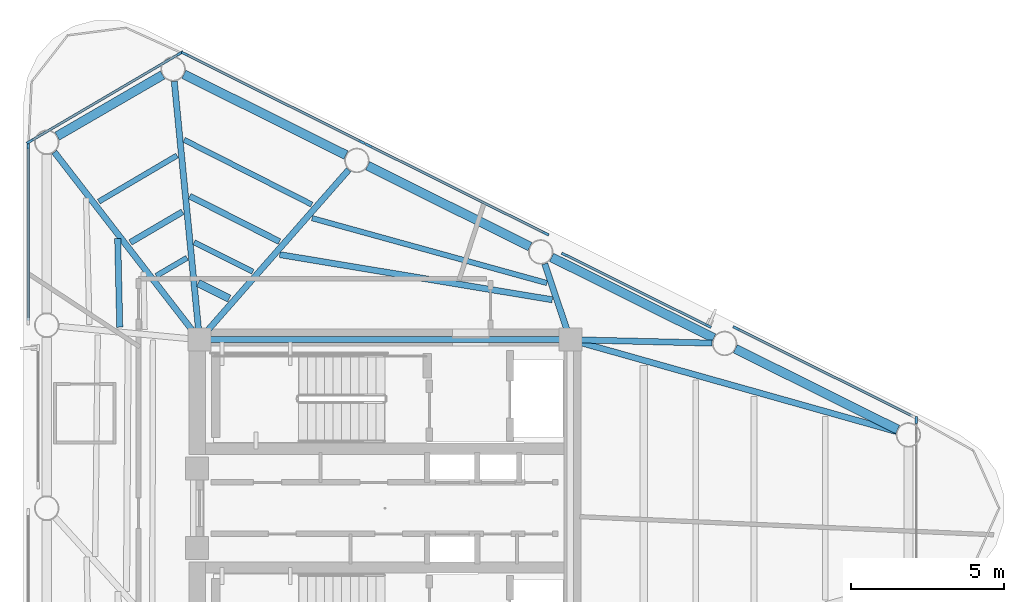
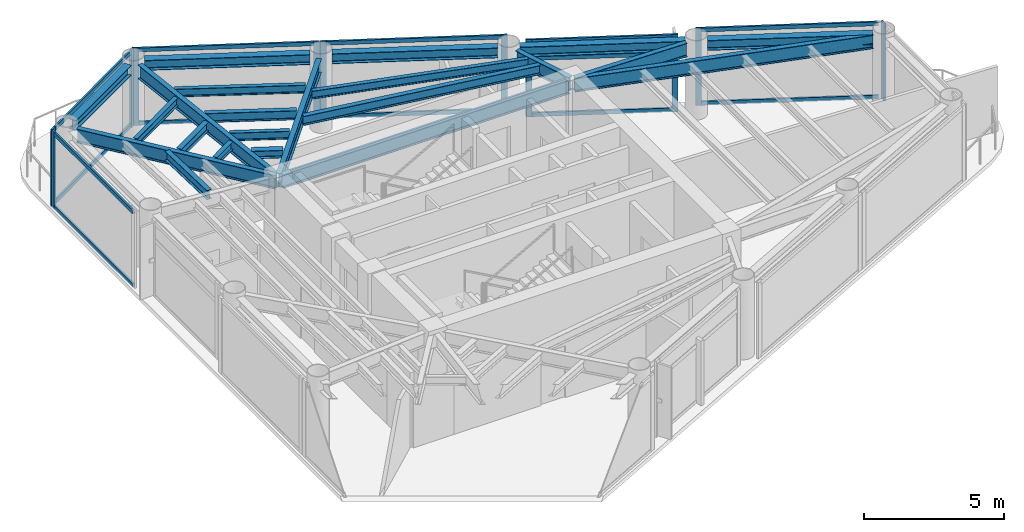
# One storey, part 3 of 10: 24 members, 22 beams, 7 elements without a shape of their own.
"""IFC4 building model written with IfcOpenShell, lengths in metres."""

from ifc_helpers import new_model, si_unit, direction, frame, origin, origin_2d, place, context, subcontext, project, spatial, rectangle, i_section, extrude, source, transform, mapped, material, layer, layer_set, material_profile, profile_set, type_object, element, aggregate, save


model = new_model("IFC4")

# Units and contexts
model_context = context("Model", 3, precision=1e-05, world=origin(), true_north=direction((0.0, 1.0)))
body_context = subcontext(model_context, "Body", "Model", "MODEL_VIEW")
ifc_project = project(units=[si_unit("LENGTHUNIT", "METRE"), si_unit("AREAUNIT", "SQUARE_METRE"), si_unit("VOLUMEUNIT", "CUBIC_METRE"), si_unit("PLANEANGLEUNIT", "RADIAN"), si_unit("MASSUNIT", "GRAM", prefix="KILO")], contexts=[model_context])

# Site, building, storey
site_placement = place(None, origin())
site = spatial("IfcSite", under=ifc_project, at=site_placement, CompositionType="ELEMENT")
building_placement = place(site_placement, origin())
building = spatial("IfcBuilding", under=site, at=building_placement, Name="Yunling Apex Tower", CompositionType="ELEMENT")
storey_placement = place(building_placement, frame((0.0, 0.0, 296.75)))
storey = spatial("IfcBuildingStorey", under=building, at=storey_placement, Name="L72", CompositionType="ELEMENT", Elevation=296.75)

# Beams
ifc_material_1 = material(Name="Steel Q355B", Category="steel")
ifc_material_profile_1 = material_profile(ifc_material_1, i_section(OverallWidth=0.199951171875, OverallDepth=0.60009765625, WebThickness=0.010986328125, FlangeThickness=0.01708984375, FilletRadius=0.02197265625, at=origin_2d()))
ifc_profile_set_1 = profile_set([ifc_material_profile_1], Name="Steel Q355B")
beam_type_1 = type_object("IfcBeamType", Name="BG-PRI-5", PredefinedType="USERDEFINED", material=ifc_profile_set_1)
shared_shape_1 = source(origin(), body_context, "Body", "SweptSolid", [
    extrude(i_section(OverallWidth=0.199951171875, OverallDepth=0.60009765625, WebThickness=0.010986328125, FlangeThickness=0.01708984375, FilletRadius=0.02197265625, at=origin_2d()), origin(), (0.0, 0.0, 1.0), 11.7998046875),
])
beam_1_placement = place(storey_placement, frame((5.89990234375, 5.5, 2.969970703125), z_axis=(-1.0, 0.0, 0.0), x_axis=(0.0, -1.0, 0.0)))
element("IfcBeam", 1, at=beam_1_placement, inside=storey, type_object=beam_type_1, Name="L72 Core Ring Tie Beam 3", ObjectType="GIRDER", PredefinedType="USERDEFINED", context=body_context, shape_type="MappedRepresentation", body=[
    mapped(shared_shape_1, transform((0.0, 0.0, 0.0), scale=1.0)),
])
ifc_material_profile_2 = material_profile(ifc_material_1, i_section(OverallWidth=0.300048828125, OverallDepth=0.43994140625, WebThickness=0.010986328125, FlangeThickness=0.01806640625, FilletRadius=0.02197265625, at=origin_2d()))
ifc_profile_set_2 = profile_set([ifc_material_profile_2], Name="Steel Q355B")
beam_type_2 = type_object("IfcBeamType", Name="BP-SPN-3", PredefinedType="SPANDREL", material=ifc_profile_set_2)
shared_shape_2 = source(origin(), body_context, "Body", "SweptSolid", [
    extrude(i_section(OverallWidth=0.300048828125, OverallDepth=0.43994140625, WebThickness=0.010986328125, FlangeThickness=0.01806640625, FilletRadius=0.02197265625, at=origin_2d()), origin(), (0.0, 0.0, 1.0), 5.914306640625),
])
for number, where, z_axis, x_axis, name in (
    (2, (4.733642578125, 8.539794921875, 3.050048828125), (-0.895267705164, 0.445528602999, 0.0), (-0.445528602999, -0.895267705164, 0.0), "L72 Perimeter Spandrel Beam 8"),
    (3, (-1.2666015625, 11.52587890625, 3.050048828125), (-0.895243044542, 0.445578153861, 0.0), (-0.445578153861, -0.895243044542, 0.0), "L72 Perimeter Spandrel Beam 9"),
):
    element("IfcBeam", number, at=place(storey_placement, frame(where, z_axis=z_axis, x_axis=x_axis)), inside=storey, type_object=beam_type_2, Name=name, PredefinedType="SPANDREL", context=body_context, shape_type="MappedRepresentation", body=[
        mapped(shared_shape_2, transform((0.0, 0.0, 0.0), scale=1.0)),
    ])
shared_shape_3 = source(origin(), body_context, "Body", "SweptSolid", [
    extrude(i_section(OverallWidth=0.300048828125, OverallDepth=0.43994140625, WebThickness=0.010986328125, FlangeThickness=0.01806640625, FilletRadius=0.02197265625, at=origin_2d()), origin(), (0.0, 0.0, 1.0), 5.9140625),
])
for number, where, z_axis, x_axis, name in (
    (4, (16.73388671875, 2.567138671875, 3.050048828125), (-0.895259510924, 0.445545068539, 0.0), (-0.445545068539, -0.895259510924, 0.0), "L72 Perimeter Spandrel Beam 6"),
    (5, (10.733642578125, 5.553466796875, 3.050048828125), (-0.895259510924, 0.445545068539, 0.0), (-0.445545068539, -0.895259510924, 0.0), "L72 Perimeter Spandrel Beam 7"),
):
    element("IfcBeam", number, at=place(storey_placement, frame(where, z_axis=z_axis, x_axis=x_axis)), inside=storey, type_object=beam_type_2, Name=name, PredefinedType="SPANDREL", context=body_context, shape_type="MappedRepresentation", body=[
        mapped(shared_shape_3, transform((0.0, 0.0, 0.0), scale=1.0)),
    ])
shared_shape_4 = source(origin(), body_context, "Body", "SweptSolid", [
    extrude(i_section(OverallWidth=0.300048828125, OverallDepth=0.43994140625, WebThickness=0.010986328125, FlangeThickness=0.01806640625, FilletRadius=0.02197265625, at=origin_2d()), origin(), (0.0, 0.0, 1.0), 3.978515625),
])
beam_2_placement = place(storey_placement, frame((-7.2548828125, 14.138916015625, 3.050048828125), z_axis=(-0.865064744393, -0.501660231639, 0.0), x_axis=(0.501660231639, -0.865064744393, 0.0)))
element("IfcBeam", 6, at=beam_2_placement, inside=storey, type_object=beam_type_2, Name="L72 Perimeter Spandrel Beam 10", PredefinedType="SPANDREL", context=body_context, shape_type="MappedRepresentation", body=[
    mapped(shared_shape_4, transform((0.0, 0.0, 0.0), scale=1.0)),
])
shared_shape_5 = source(origin(), body_context, "Body", "SweptSolid", [
    extrude(i_section(OverallWidth=0.199951171875, OverallDepth=0.60009765625, WebThickness=0.010986328125, FlangeThickness=0.01708984375, FilletRadius=0.02197265625, at=origin_2d()), origin(), (0.0, 0.0, 1.0), 8.390869140625),
])
beam_3_placement = place(storey_placement, frame((-6.874267578125, 13.9306640625, 2.969970703125), z_axis=(0.097296792844, -0.995255411491, 0.0), x_axis=(0.995255411491, 0.097296792844, 0.0)))
element("IfcBeam", 7, at=beam_3_placement, inside=storey, type_object=beam_type_1, Name="L72 Radial Primary Girder R10", ObjectType="GIRDER", PredefinedType="USERDEFINED", context=body_context, shape_type="MappedRepresentation", body=[
    mapped(shared_shape_5, transform((0.0, 0.0, 0.0), scale=1.0)),
])
shared_shape_6 = source(origin(), body_context, "Body", "SweptSolid", [
    extrude(i_section(OverallWidth=0.199951171875, OverallDepth=0.60009765625, WebThickness=0.010986328125, FlangeThickness=0.01708984375, FilletRadius=0.02197265625, at=origin_2d()), origin(), (0.0, 0.0, 1.0), 7.297119140625),
])
beam_4_placement = place(storey_placement, frame((-1.18310546875, 11.043701171875, 2.969970703125), z_axis=(-0.659747259747, -0.751487560281, 0.0), x_axis=(0.751487560281, -0.659747259747, 0.0)))
element("IfcBeam", 8, at=beam_4_placement, inside=storey, type_object=beam_type_1, Name="L72 Radial Primary Girder R09", ObjectType="GIRDER", PredefinedType="USERDEFINED", context=body_context, shape_type="MappedRepresentation", body=[
    mapped(shared_shape_6, transform((0.0, 0.0, 0.0), scale=1.0)),
])
shared_shape_7 = source(origin(), body_context, "Body", "SweptSolid", [
    extrude(i_section(OverallWidth=0.199951171875, OverallDepth=0.60009765625, WebThickness=0.010986328125, FlangeThickness=0.01708984375, FilletRadius=0.02197265625, at=origin_2d()), origin(), (0.0, 0.0, 1.0), 2.533935546875),
])
beam_5_placement = place(storey_placement, frame((5.21630859375, 7.977294921875, 2.969970703125), z_axis=(0.318914628896, -0.947783445454, 0.0), x_axis=(0.947783445454, 0.318914628896, 0.0)))
element("IfcBeam", 9, at=beam_5_placement, inside=storey, type_object=beam_type_1, Name="L72 Radial Primary Girder R08", ObjectType="GIRDER", PredefinedType="USERDEFINED", context=body_context, shape_type="MappedRepresentation", body=[
    mapped(shared_shape_7, transform((0.0, 0.0, 0.0), scale=1.0)),
])
shared_shape_8 = source(origin(), body_context, "Body", "SweptSolid", [
    extrude(i_section(OverallWidth=0.199951171875, OverallDepth=0.60009765625, WebThickness=0.010986328125, FlangeThickness=0.01708984375, FilletRadius=0.02197265625, at=origin_2d()), origin(), (0.0, 0.0, 1.0), 4.5498046875),
])
beam_6_placement = place(storey_placement, frame((10.678466796875, 5.3876953125, 2.969970703125), z_axis=(-0.999705840498, 0.024253504369, 0.0), x_axis=(-0.024253504369, -0.999705840498, 0.0)))
element("IfcBeam", 10, at=beam_6_placement, inside=storey, type_object=beam_type_1, Name="L72 Radial Primary Girder R07", ObjectType="GIRDER", PredefinedType="USERDEFINED", context=body_context, shape_type="MappedRepresentation", body=[
    mapped(shared_shape_8, transform((0.0, 0.0, 0.0), scale=1.0)),
])
shared_shape_9 = source(origin(), body_context, "Body", "SweptSolid", [
    extrude(i_section(OverallWidth=0.199951171875, OverallDepth=0.60009765625, WebThickness=0.010986328125, FlangeThickness=0.01708984375, FilletRadius=0.02197265625, at=origin_2d()), origin(), (0.0, 0.0, 1.0), 10.97802734375),
])
beam_7_placement = place(storey_placement, frame((16.69384765625, 2.502197265625, 2.969970703125), z_axis=(-0.962552702816, 0.271094622414, 0.0), x_axis=(-0.271094622414, -0.962552702816, 0.0)))
element("IfcBeam", 11, at=beam_7_placement, inside=storey, type_object=beam_type_1, Name="L72 Radial Primary Girder R06", ObjectType="GIRDER", PredefinedType="USERDEFINED", context=body_context, shape_type="MappedRepresentation", body=[
    mapped(shared_shape_9, transform((0.0, 0.0, 0.0), scale=1.0)),
])
shared_shape_10 = source(origin(), body_context, "Body", "SweptSolid", [
    extrude(i_section(OverallWidth=0.199951171875, OverallDepth=0.60009765625, WebThickness=0.010986328125, FlangeThickness=0.01708984375, FilletRadius=0.02197265625, at=origin_2d()), origin(), (0.0, 0.0, 1.0), 7.661376953125),
])
beam_8_placement = place(storey_placement, frame((-10.78759765625, 11.62255859375, 2.969970703125), z_axis=(0.611959789037, -0.790888877531, 0.0), x_axis=(0.790888877531, 0.611959789037, 0.0)))
element("IfcBeam", 12, at=beam_8_placement, inside=storey, type_object=beam_type_1, Name="L72 Radial Primary Girder R11", ObjectType="GIRDER", PredefinedType="USERDEFINED", context=body_context, shape_type="MappedRepresentation", body=[
    mapped(shared_shape_10, transform((0.0, 0.0, 0.0), scale=1.0)),
])
ifc_material_profile_3 = material_profile(ifc_material_1, i_section(OverallWidth=0.199951171875, OverallDepth=0.39990234375, WebThickness=0.008056640625, FlangeThickness=0.012939453125, FilletRadius=0.01611328125, at=origin_2d()))
ifc_profile_set_3 = profile_set([ifc_material_profile_3], Name="Steel Q355B")
beam_type_3 = type_object("IfcBeamType", Name="BS-SEC-4", PredefinedType="BEAM", material=ifc_profile_set_3)
shared_shape_11 = source(origin(), body_context, "Body", "SweptSolid", [
    extrude(i_section(OverallWidth=0.199951171875, OverallDepth=0.39990234375, WebThickness=0.008056640625, FlangeThickness=0.012939453125, FilletRadius=0.01611328125, at=origin_2d()), origin(), (0.0, 0.0, 1.0), 3.281494140625),
])
beam_9_placement = place(storey_placement, frame((-3.444091796875, 8.703125, 3.070068359375), z_axis=(-0.892364297468, 0.451315810275, 0.0), x_axis=(-0.451315810275, -0.892364297468, 0.0)))
element("IfcBeam", 13, at=beam_9_placement, inside=storey, type_object=beam_type_3, Name="L72 Composite Floor Beam BS-9", PredefinedType="BEAM", context=body_context, shape_type="MappedRepresentation", body=[
    mapped(shared_shape_11, transform((0.0, 0.0, 0.0), scale=1.0)),
])
ifc_material_profile_4 = material_profile(ifc_material_1, i_section(OverallWidth=0.175048828125, OverallDepth=0.35009765625, WebThickness=0.007080078125, FlangeThickness=0.010986328125, FilletRadius=0.013916015625, at=origin_2d()))
ifc_profile_set_4 = profile_set([ifc_material_profile_4], Name="Steel Q355B")
beam_type_4 = type_object("IfcBeamType", Name="BJ-JST-1", PredefinedType="JOIST", material=ifc_profile_set_4)
shared_shape_12 = source(origin(), body_context, "Body", "SweptSolid", [
    extrude(i_section(OverallWidth=0.175048828125, OverallDepth=0.35009765625, WebThickness=0.007080078125, FlangeThickness=0.010986328125, FilletRadius=0.013916015625, at=origin_2d()), origin(), (0.0, 0.0, 1.0), 4.67138671875),
])
beam_10_placement = place(storey_placement, frame((-2.385009765625, 9.90966796875, 3.094970703125), z_axis=(-0.892031280848, 0.45197366515, 0.0), x_axis=(-0.45197366515, -0.892031280848, 0.0)))
element("IfcBeam", 14, at=beam_10_placement, inside=storey, type_object=beam_type_4, Name="L72 Composite Floor Joist BJ1-9", PredefinedType="JOIST", context=body_context, shape_type="MappedRepresentation", body=[
    mapped(shared_shape_12, transform((0.0, 0.0, 0.0), scale=1.0)),
])
shared_shape_13 = source(origin(), body_context, "Body", "SweptSolid", [
    extrude(i_section(OverallWidth=0.175048828125, OverallDepth=0.35009765625, WebThickness=0.007080078125, FlangeThickness=0.010986328125, FilletRadius=0.013916015625, at=origin_2d()), origin(), (0.0, 0.0, 1.0), 2.143798828125),
])
beam_11_placement = place(storey_placement, frame((-4.310791015625, 7.7158203125, 3.094970703125), z_axis=(-0.892941835578, 0.45017205408, 0.0), x_axis=(-0.45017205408, -0.892941835578, 0.0)))
element("IfcBeam", 15, at=beam_11_placement, inside=storey, type_object=beam_type_4, Name="L72 Composite Floor Joist BJ3-9", PredefinedType="JOIST", context=body_context, shape_type="MappedRepresentation", body=[
    mapped(shared_shape_13, transform((0.0, 0.0, 0.0), scale=1.0)),
])
ifc_material_profile_5 = material_profile(ifc_material_1, i_section(OverallWidth=0.25, OverallDepth=0.340087890625, WebThickness=0.009033203125, FlangeThickness=0.013916015625, FilletRadius=0.01806640625, at=origin_2d()))
ifc_profile_set_5 = profile_set([ifc_material_profile_5], Name="Steel Q355B")
beam_type_5 = type_object("IfcBeamType", Name="BJ-JST-2", PredefinedType="JOIST", material=ifc_profile_set_5)
shared_shape_14 = source(origin(), body_context, "Body", "SweptSolid", [
    extrude(i_section(OverallWidth=0.25, OverallDepth=0.340087890625, WebThickness=0.009033203125, FlangeThickness=0.013916015625, FilletRadius=0.01806640625, at=origin_2d()), origin(), (0.0, 0.0, 1.0), 1.1328125),
])
beam_12_placement = place(storey_placement, frame((-5.081298828125, 6.838134765625, 3.10009765625), z_axis=(-0.894211562533, 0.447644592765, 0.0), x_axis=(-0.447644592765, -0.894211562533, 0.0)))
element("IfcBeam", 16, at=beam_12_placement, inside=storey, type_object=beam_type_5, Name="L72 Composite Floor Joist BJ2-9", PredefinedType="JOIST", context=body_context, shape_type="MappedRepresentation", body=[
    mapped(shared_shape_14, transform((0.0, 0.0, 0.0), scale=1.0)),
])
shared_shape_15 = source(origin(), body_context, "Body", "SweptSolid", [
    extrude(i_section(OverallWidth=0.199951171875, OverallDepth=0.39990234375, WebThickness=0.008056640625, FlangeThickness=0.012939453125, FilletRadius=0.01611328125, at=origin_2d()), origin(), (0.0, 0.0, 1.0), 9.01611328125),
])
beam_13_placement = place(storey_placement, frame((5.462646484375, 6.802734375, 3.070068359375), z_axis=(-0.986561729833, 0.163388962996, 0.0), x_axis=(-0.163388962996, -0.986561729833, 0.0)))
element("IfcBeam", 17, at=beam_13_placement, inside=storey, type_object=beam_type_3, Name="L72 Composite Floor Beam BS-8", PredefinedType="BEAM", context=body_context, shape_type="MappedRepresentation", body=[
    mapped(shared_shape_15, transform((0.0, 0.0, 0.0), scale=1.0)),
])
shared_shape_16 = source(origin(), body_context, "Body", "SweptSolid", [
    extrude(i_section(OverallWidth=0.175048828125, OverallDepth=0.35009765625, WebThickness=0.007080078125, FlangeThickness=0.010986328125, FilletRadius=0.013916015625, at=origin_2d()), origin(), (0.0, 0.0, 1.0), 7.952392578125),
])
beam_14_placement = place(storey_placement, frame((5.288330078125, 7.34765625, 3.094970703125), z_axis=(-0.963874198485, 0.266357897377, 0.0), x_axis=(-0.266357897377, -0.963874198485, 0.0)))
element("IfcBeam", 18, at=beam_14_placement, inside=storey, type_object=beam_type_4, Name="L72 Composite Floor Joist BJ1-8", PredefinedType="JOIST", context=body_context, shape_type="MappedRepresentation", body=[
    mapped(shared_shape_16, transform((0.0, 0.0, 0.0), scale=1.0)),
])
shared_shape_17 = source(origin(), body_context, "Body", "SweptSolid", [
    extrude(i_section(OverallWidth=0.199951171875, OverallDepth=0.39990234375, WebThickness=0.008056640625, FlangeThickness=0.012939453125, FilletRadius=0.01611328125, at=origin_2d()), origin(), (0.0, 0.0, 1.0), 1.9736328125),
])
beam_15_placement = place(storey_placement, frame((-6.60400390625, 9.674072265625, 3.070068359375), z_axis=(-0.862118606545, -0.506706530694, 0.0), x_axis=(0.506706530694, -0.862118606545, 0.0)))
element("IfcBeam", 19, at=beam_15_placement, inside=storey, type_object=beam_type_3, Name="L72 Composite Floor Beam BS-10", PredefinedType="BEAM", context=body_context, shape_type="MappedRepresentation", body=[
    mapped(shared_shape_17, transform((0.0, 0.0, 0.0), scale=1.0)),
])
shared_shape_18 = source(origin(), body_context, "Body", "SweptSolid", [
    extrude(i_section(OverallWidth=0.175048828125, OverallDepth=0.35009765625, WebThickness=0.007080078125, FlangeThickness=0.010986328125, FilletRadius=0.013916015625, at=origin_2d()), origin(), (0.0, 0.0, 1.0), 2.96337890625),
])
beam_16_placement = place(storey_placement, frame((-6.783447265625, 11.510986328125, 3.094970703125), z_axis=(-0.861658767358, -0.507488097038, 0.0), x_axis=(0.507488097038, -0.861658767358, 0.0)))
element("IfcBeam", 20, at=beam_16_placement, inside=storey, type_object=beam_type_4, Name="L72 Composite Floor Joist BJ1-10", PredefinedType="JOIST", context=body_context, shape_type="MappedRepresentation", body=[
    mapped(shared_shape_18, transform((0.0, 0.0, 0.0), scale=1.0)),
])
shared_shape_19 = source(origin(), body_context, "Body", "SweptSolid", [
    extrude(i_section(OverallWidth=0.175048828125, OverallDepth=0.35009765625, WebThickness=0.007080078125, FlangeThickness=0.010986328125, FilletRadius=0.013916015625, at=origin_2d()), origin(), (0.0, 0.0, 1.0), 1.16357421875),
])
beam_17_placement = place(storey_placement, frame((-6.457275390625, 8.171142578125, 3.094970703125), z_axis=(-0.862833680606, -0.50548792232, 0.0), x_axis=(0.50548792232, -0.862833680606, 0.0)))
element("IfcBeam", 21, at=beam_17_placement, inside=storey, type_object=beam_type_4, Name="L72 Composite Floor Joist BJ3-10", PredefinedType="JOIST", context=body_context, shape_type="MappedRepresentation", body=[
    mapped(shared_shape_19, transform((0.0, 0.0, 0.0), scale=1.0)),
])
shared_shape_20 = source(origin(), body_context, "Body", "SweptSolid", [
    extrude(i_section(OverallWidth=0.199951171875, OverallDepth=0.39990234375, WebThickness=0.008056640625, FlangeThickness=0.012939453125, FilletRadius=0.01611328125, at=origin_2d()), origin(), (0.0, 0.0, 1.0), 2.890869140625),
])
beam_18_placement = place(storey_placement, frame((-8.720947265625, 8.796630859375, 3.070068359375), z_axis=(0.023139604217, -0.999732243512, 0.0), x_axis=(0.999732243512, 0.023139604217, 0.0)))
element("IfcBeam", 22, at=beam_18_placement, inside=storey, type_object=beam_type_3, Name="L72 Composite Floor Beam BS-11", PredefinedType="BEAM", context=body_context, shape_type="MappedRepresentation", body=[
    mapped(shared_shape_20, transform((0.0, 0.0, 0.0), scale=1.0)),
])

# Curtain wall, members
ifc_material_2 = material(Name="Bronze anodised aluminium", Category="aluminium")
ifc_layer = layer(ifc_material_2, 0.219970703125)
ifc_layer_set = layer_set([ifc_layer], Name="Bronze anodised aluminium")
curtain_wall_type = type_object("IfcCurtainWallType", Name="CW-SYS-4", PredefinedType="NOTDEFINED", material=ifc_layer_set)
curtain_wall_1_placement = place(storey_placement, origin())
curtain_wall_1 = element("IfcCurtainWall", 23, at=curtain_wall_1_placement, inside=storey, type_object=curtain_wall_type, Name="CW-L72-F2-B4", PredefinedType="NOTDEFINED")
ifc_material_profile_6 = material_profile(ifc_material_2, rectangle(XDim=0.080078125, YDim=0.169921875, at=origin_2d()))
ifc_profile_set_6 = profile_set([ifc_material_profile_6], Name="Bronze anodised aluminium")
member_type_1 = type_object("IfcMemberType", Name="CW-TRN-4", PredefinedType="USERDEFINED", material=ifc_profile_set_6)
shared_shape_21 = source(origin(), body_context, "Body", "SweptSolid", [
    extrude(rectangle(XDim=0.080078125, YDim=0.169921875, at=origin_2d()), origin(), (0.0, 0.0, 1.0), 6.39013671875),
])
member_1_placement = place(storey_placement, frame((-0.78173828125, 11.966064453125, 0.0400390625), z_axis=(-0.89525092504, 0.445562320238, 0.0), x_axis=(-0.445562320238, -0.89525092504, 0.0)))
member_1 = element("IfcMember", 24, at=member_1_placement, type_object=member_type_1, Name="CW-SYS-4 transom 1.1", ObjectType="TRANSOM", PredefinedType="USERDEFINED", context=body_context, shape_type="MappedRepresentation", body=[
    mapped(shared_shape_21, transform((0.0, 0.0, 0.0), scale=1.0)),
])
member_2_placement = place(storey_placement, frame((-0.78173828125, 11.966064453125, 3.22998046875), z_axis=(-0.89525092504, 0.445562320238, 0.0), x_axis=(-0.445562320238, -0.89525092504, 0.0)))
member_2 = element("IfcMember", 25, at=member_2_placement, type_object=member_type_1, Name="CW-SYS-4 transom 1.2", ObjectType="TRANSOM", PredefinedType="USERDEFINED", context=body_context, shape_type="MappedRepresentation", body=[
    mapped(shared_shape_21, transform((0.0, 0.0, 0.0), scale=1.0)),
])

curtain_wall_2_placement = place(storey_placement, origin())
curtain_wall_2 = element("IfcCurtainWall", 26, at=curtain_wall_2_placement, inside=storey, type_object=curtain_wall_type, Name="CW-L72-F2-B1", PredefinedType="NOTDEFINED")
shared_shape_22 = source(origin(), body_context, "Body", "SweptSolid", [
    extrude(rectangle(XDim=0.080078125, YDim=0.169921875, at=origin_2d()), origin(), (0.0, 0.0, 1.0), 6.390380859375),
])
member_3_placement = place(storey_placement, frame((17.21875, 3.007080078125, 0.0400390625), z_axis=(-0.895258509594, 0.445547080565, 0.0), x_axis=(-0.445547080565, -0.895258509594, 0.0)))
member_3 = element("IfcMember", 27, at=member_3_placement, type_object=member_type_1, Name="CW-SYS-4 transom 1.1", ObjectType="TRANSOM", PredefinedType="USERDEFINED", context=body_context, shape_type="MappedRepresentation", body=[
    mapped(shared_shape_22, transform((0.0, 0.0, 0.0), scale=1.0)),
])
member_4_placement = place(storey_placement, frame((17.21875, 3.007080078125, 3.22998046875), z_axis=(-0.895258509594, 0.445547080565, 0.0), x_axis=(-0.445547080565, -0.895258509594, 0.0)))
member_4 = element("IfcMember", 28, at=member_4_placement, type_object=member_type_1, Name="CW-SYS-4 transom 1.2", ObjectType="TRANSOM", PredefinedType="USERDEFINED", context=body_context, shape_type="MappedRepresentation", body=[
    mapped(shared_shape_22, transform((0.0, 0.0, 0.0), scale=1.0)),
])

curtain_wall_3_placement = place(storey_placement, origin())
curtain_wall_3 = element("IfcCurtainWall", 29, at=curtain_wall_3_placement, inside=storey, type_object=curtain_wall_type, Name="CW-L72-F2-B3", PredefinedType="NOTDEFINED")
member_5_placement = place(storey_placement, frame((5.218505859375, 8.979736328125, 0.0400390625), z_axis=(-0.895243270113, 0.44557770065, 0.0), x_axis=(-0.44557770065, -0.895243270113, 0.0)))
member_5 = element("IfcMember", 30, at=member_5_placement, type_object=member_type_1, Name="CW-SYS-4 transom 1.1", ObjectType="TRANSOM", PredefinedType="USERDEFINED", context=body_context, shape_type="MappedRepresentation", body=[
    mapped(shared_shape_22, transform((0.0, 0.0, 0.0), scale=1.0)),
])
member_6_placement = place(storey_placement, frame((5.218505859375, 8.979736328125, 3.22998046875), z_axis=(-0.895243270113, 0.44557770065, 0.0), x_axis=(-0.44557770065, -0.895243270113, 0.0)))
member_6 = element("IfcMember", 31, at=member_6_placement, type_object=member_type_1, Name="CW-SYS-4 transom 1.2", ObjectType="TRANSOM", PredefinedType="USERDEFINED", context=body_context, shape_type="MappedRepresentation", body=[
    mapped(shared_shape_22, transform((0.0, 0.0, 0.0), scale=1.0)),
])

curtain_wall_4_placement = place(storey_placement, origin())
curtain_wall_4 = element("IfcCurtainWall", 32, at=curtain_wall_4_placement, inside=storey, type_object=curtain_wall_type, Name="CW-L72-F2-B2", PredefinedType="NOTDEFINED")
shared_shape_23 = source(origin(), body_context, "Body", "SweptSolid", [
    extrude(rectangle(XDim=0.080078125, YDim=0.169921875, at=origin_2d()), origin(), (0.0, 0.0, 1.0), 5.150146484375),
])
member_7_placement = place(storey_placement, frame((10.511962890625, 5.96533203125, 0.0400390625), z_axis=(-0.895231613188, 0.445601120676, 0.0), x_axis=(-0.445601120676, -0.895231613188, 0.0)))
member_7 = element("IfcMember", 33, at=member_7_placement, type_object=member_type_1, Name="CW-SYS-4 transom 1.1", ObjectType="TRANSOM", PredefinedType="USERDEFINED", context=body_context, shape_type="MappedRepresentation", body=[
    mapped(shared_shape_23, transform((0.0, 0.0, 0.0), scale=1.0)),
])
member_8_placement = place(storey_placement, frame((10.511962890625, 5.96533203125, 2.485107421875), z_axis=(-0.895231613188, 0.445601120676, 0.0), x_axis=(-0.445601120676, -0.895231613188, 0.0)))
member_8 = element("IfcMember", 34, at=member_8_placement, type_object=member_type_1, Name="CW-SYS-4 transom 1.2", ObjectType="TRANSOM", PredefinedType="USERDEFINED", context=body_context, shape_type="MappedRepresentation", body=[
    mapped(shared_shape_23, transform((0.0, 0.0, 0.0), scale=1.0)),
])
member_9_placement = place(storey_placement, frame((10.511962890625, 5.96533203125, 3.22998046875), z_axis=(-0.895231613188, 0.445601120676, 0.0), x_axis=(-0.445601120676, -0.895231613188, 0.0)))
member_9 = element("IfcMember", 35, at=member_9_placement, type_object=member_type_1, Name="CW-SYS-4 transom 1.3", ObjectType="TRANSOM", PredefinedType="USERDEFINED", context=body_context, shape_type="MappedRepresentation", body=[
    mapped(shared_shape_23, transform((0.0, 0.0, 0.0), scale=1.0)),
])

curtain_wall_5_placement = place(storey_placement, origin())
curtain_wall_5 = element("IfcCurtainWall", 36, at=curtain_wall_5_placement, inside=storey, type_object=curtain_wall_type, Name="CW-L72-CRN2", PredefinedType="NOTDEFINED")
shared_shape_24 = source(origin(), body_context, "Body", "SweptSolid", [
    extrude(rectangle(XDim=0.080078125, YDim=0.169921875, at=origin_2d()), origin(), (0.0, 0.0, 1.0), 5.61767578125),
])
member_10_placement = place(storey_placement, frame((-6.716552734375, 14.82666015625, 0.0400390625), z_axis=(-0.862486715055, -0.506079703558, 0.0), x_axis=(0.506079703558, -0.862486715055, 0.0)))
member_10 = element("IfcMember", 37, at=member_10_placement, type_object=member_type_1, Name="CW-SYS-4 transom 1.1", ObjectType="TRANSOM", PredefinedType="USERDEFINED", context=body_context, shape_type="MappedRepresentation", body=[
    mapped(shared_shape_24, transform((0.0, 0.0, 0.0), scale=1.0)),
])
member_11_placement = place(storey_placement, frame((-6.716552734375, 14.82666015625, 3.22998046875), z_axis=(-0.862486715055, -0.506079703558, 0.0), x_axis=(0.506079703558, -0.862486715055, 0.0)))
member_11 = element("IfcMember", 38, at=member_11_placement, type_object=member_type_1, Name="CW-SYS-4 transom 1.2", ObjectType="TRANSOM", PredefinedType="USERDEFINED", context=body_context, shape_type="MappedRepresentation", body=[
    mapped(shared_shape_24, transform((0.0, 0.0, 0.0), scale=1.0)),
])

curtain_wall_6_placement = place(storey_placement, origin())
curtain_wall_6 = element("IfcCurtainWall", 39, at=curtain_wall_6_placement, inside=storey, type_object=curtain_wall_type, Name="CW-L72-F3-B1", PredefinedType="NOTDEFINED")
shared_shape_25 = source(origin(), body_context, "Body", "SweptSolid", [
    extrude(rectangle(XDim=0.080078125, YDim=0.169921875, at=origin_2d()), origin(), (0.0, 0.0, 1.0), 5.66064453125),
])
member_12_placement = place(storey_placement, frame((-11.647216796875, 11.789306640625, 0.0400390625), z_axis=(0.0, -1.0, 0.0), x_axis=(1.0, 0.0, 0.0)))
member_12 = element("IfcMember", 40, at=member_12_placement, type_object=member_type_1, Name="CW-SYS-4 transom 1.1", ObjectType="TRANSOM", PredefinedType="USERDEFINED", context=body_context, shape_type="MappedRepresentation", body=[
    mapped(shared_shape_25, transform((0.0, 0.0, 0.0), scale=1.0)),
])
member_13_placement = place(storey_placement, frame((-11.647216796875, 11.789306640625, 3.22998046875), z_axis=(0.0, -1.0, 0.0), x_axis=(1.0, 0.0, 0.0)))
member_13 = element("IfcMember", 41, at=member_13_placement, type_object=member_type_1, Name="CW-SYS-4 transom 1.2", ObjectType="TRANSOM", PredefinedType="USERDEFINED", context=body_context, shape_type="MappedRepresentation", body=[
    mapped(shared_shape_25, transform((0.0, 0.0, 0.0), scale=1.0)),
])

# Curtain wall, member
curtain_wall_7_placement = place(storey_placement, origin())
curtain_wall_7 = element("IfcCurtainWall", 42, at=curtain_wall_7_placement, inside=storey, type_object=curtain_wall_type, Name="CW-L72-CRN1", PredefinedType="NOTDEFINED")
ifc_material_profile_7 = material_profile(ifc_material_2, rectangle(XDim=0.080078125, YDim=0.219970703125, at=origin_2d()))
ifc_profile_set_7 = profile_set([ifc_material_profile_7], Name="Bronze anodised aluminium")
member_type_2 = type_object("IfcMemberType", Name="CW-MUL-4", PredefinedType="MULLION", material=ifc_profile_set_7)
shared_shape_26 = source(origin(), body_context, "Body", "SweptSolid", [
    extrude(rectangle(XDim=0.080078125, YDim=0.219970703125, at=origin_2d()), origin(), (0.0, 0.0, 1.0), 3.3701171875),
])
member_14_placement = place(storey_placement, frame((17.349365234375, 2.879638671875, -0.050048828125), z_axis=(0.0, 0.0, 1.0), x_axis=(-1.0, 0.0, 0.0)))
member_14 = element("IfcMember", 43, at=member_14_placement, type_object=member_type_2, Name="CW-SYS-4 mullion 2", PredefinedType="MULLION", context=body_context, shape_type="MappedRepresentation", body=[
    mapped(shared_shape_26, transform((0.0, 0.0, 0.0), scale=1.0)),
])
aggregate(curtain_wall_7, [member_14])

# Member
member_15_placement = place(storey_placement, frame((11.465576171875, 5.870361328125, -0.050048828125), z_axis=(0.0, 0.0, 1.0), x_axis=(-0.445568135078, -0.895248030996, 0.0)))
member_15 = element("IfcMember", 44, at=member_15_placement, type_object=member_type_2, Name="CW-SYS-4 mullion 2", PredefinedType="MULLION", context=body_context, shape_type="MappedRepresentation", body=[
    mapped(shared_shape_26, transform((0.0, 0.0, 0.0), scale=1.0)),
])

aggregate(curtain_wall_2, [member_15, member_3, member_4])

member_16_placement = place(storey_placement, frame((10.544189453125, 5.94921875, -0.050048828125), z_axis=(0.0, 0.0, 1.0), x_axis=(-0.445583360305, -0.895240453185, 0.0)))
member_16 = element("IfcMember", 45, at=member_16_placement, type_object=member_type_2, Name="CW-SYS-4 mullion 1", PredefinedType="MULLION", context=body_context, shape_type="MappedRepresentation", body=[
    mapped(shared_shape_26, transform((0.0, 0.0, 0.0), scale=1.0)),
])

member_17_placement = place(storey_placement, frame((5.869140625, 8.276123046875, -0.050048828125), z_axis=(0.0, 0.0, 1.0), x_axis=(-0.445583360305, -0.895240453185, 0.0)))
member_17 = element("IfcMember", 46, at=member_17_placement, type_object=member_type_2, Name="CW-SYS-4 mullion 2", PredefinedType="MULLION", context=body_context, shape_type="MappedRepresentation", body=[
    mapped(shared_shape_26, transform((0.0, 0.0, 0.0), scale=1.0)),
])

aggregate(curtain_wall_4, [member_16, member_17, member_7, member_8, member_9])

member_18_placement = place(storey_placement, frame((5.250732421875, 8.963623046875, -0.050048828125), z_axis=(0.0, 0.0, 1.0), x_axis=(-0.445562037917, -0.895251065549, 0.0)))
member_18 = element("IfcMember", 47, at=member_18_placement, type_object=member_type_2, Name="CW-SYS-4 mullion 1", PredefinedType="MULLION", context=body_context, shape_type="MappedRepresentation", body=[
    mapped(shared_shape_26, transform((0.0, 0.0, 0.0), scale=1.0)),
])

member_19_placement = place(storey_placement, frame((-0.53466796875, 11.843017578125, -0.050048828125), z_axis=(0.0, 0.0, 1.0), x_axis=(-0.445562037917, -0.895251065549, 0.0)))
member_19 = element("IfcMember", 48, at=member_19_placement, type_object=member_type_2, Name="CW-SYS-4 mullion 2", PredefinedType="MULLION", context=body_context, shape_type="MappedRepresentation", body=[
    mapped(shared_shape_26, transform((0.0, 0.0, 0.0), scale=1.0)),
])

aggregate(curtain_wall_3, [member_18, member_19, member_5, member_6])

member_20_placement = place(storey_placement, frame((-0.74951171875, 11.949951171875, -0.050048828125), z_axis=(0.0, 0.0, 1.0), x_axis=(-0.445568135078, -0.895248030996, 0.0)))
member_20 = element("IfcMember", 49, at=member_20_placement, type_object=member_type_2, Name="CW-SYS-4 mullion 1", PredefinedType="MULLION", context=body_context, shape_type="MappedRepresentation", body=[
    mapped(shared_shape_26, transform((0.0, 0.0, 0.0), scale=1.0)),
])

member_21_placement = place(storey_placement, frame((-6.534912109375, 14.829345703125, -0.050048828125), z_axis=(0.0, 0.0, 1.0), x_axis=(-0.445568135078, -0.895248030996, 0.0)))
member_21 = element("IfcMember", 50, at=member_21_placement, type_object=member_type_2, Name="CW-SYS-4 mullion 2", PredefinedType="MULLION", context=body_context, shape_type="MappedRepresentation", body=[
    mapped(shared_shape_26, transform((0.0, 0.0, 0.0), scale=1.0)),
])

aggregate(curtain_wall_1, [member_20, member_21, member_1, member_2])

member_22_placement = place(storey_placement, frame((-6.685546875, 14.8447265625, -0.050048828125), z_axis=(0.0, 0.0, 1.0), x_axis=(0.506057076658, -0.862499991399, 0.0)))
member_22 = element("IfcMember", 51, at=member_22_placement, type_object=member_type_2, Name="CW-SYS-4 mullion 1", PredefinedType="MULLION", context=body_context, shape_type="MappedRepresentation", body=[
    mapped(shared_shape_26, transform((0.0, 0.0, 0.0), scale=1.0)),
])

member_23_placement = place(storey_placement, frame((-11.5927734375, 11.965576171875, -0.050048828125), z_axis=(0.0, 0.0, 1.0), x_axis=(0.506057076658, -0.862499991399, 0.0)))
member_23 = element("IfcMember", 52, at=member_23_placement, type_object=member_type_2, Name="CW-SYS-4 mullion 2", PredefinedType="MULLION", context=body_context, shape_type="MappedRepresentation", body=[
    mapped(shared_shape_26, transform((0.0, 0.0, 0.0), scale=1.0)),
])

aggregate(curtain_wall_5, [member_22, member_23, member_10, member_11])

member_24_placement = place(storey_placement, frame((-11.647216796875, 11.8251953125, -0.050048828125), z_axis=(0.0, 0.0, 1.0), x_axis=(1.0, 0.0, 0.0)))
member_24 = element("IfcMember", 53, at=member_24_placement, type_object=member_type_2, Name="CW-SYS-4 mullion 1", PredefinedType="MULLION", context=body_context, shape_type="MappedRepresentation", body=[
    mapped(shared_shape_26, transform((0.0, 0.0, 0.0), scale=1.0)),
])

aggregate(curtain_wall_6, [member_24, member_12, member_13])

save(model, "model.ifc")
